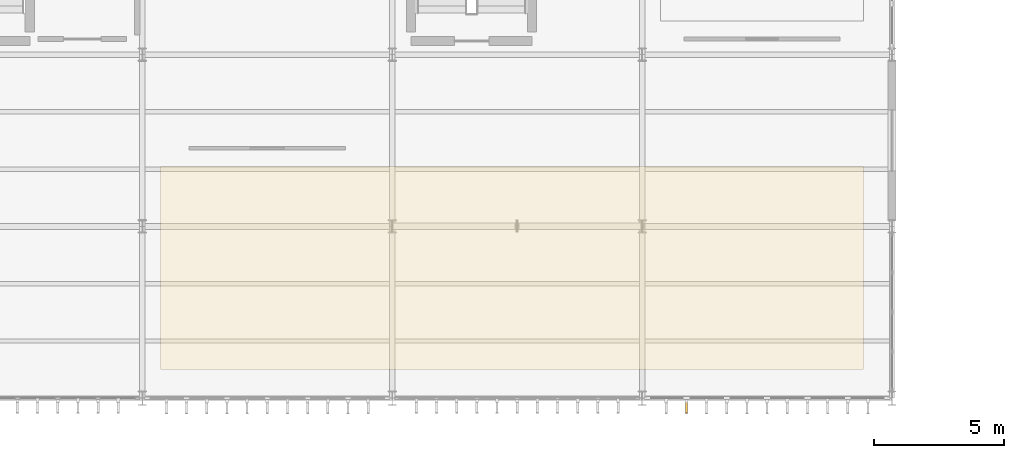
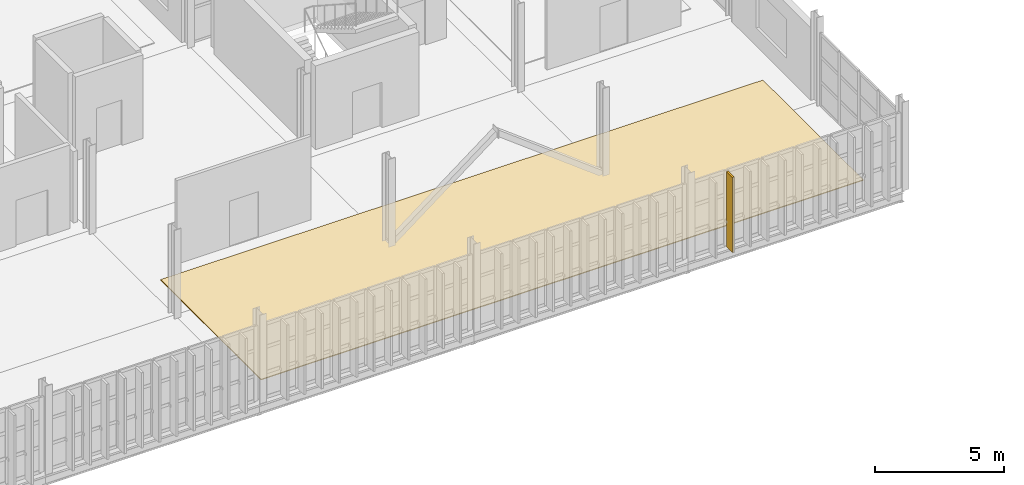
# One storey, part 46 of 52: 1 covering, 1 shading device.
"""IFC4 building model written with IfcOpenShell, lengths in metres."""

from ifc_helpers import new_model, si_unit, direction, frame, origin, origin_2d, place, context, subcontext, project, spatial, polyline, rectangle, outline, extrude, material, layer, layer_set, type_object, element, save


model = new_model("IFC4")

# Units and contexts
model_context = context("Model", 3, precision=1e-05, world=origin(), true_north=direction((0.0, 1.0)))
body_context = subcontext(model_context, "Body", "Model", "MODEL_VIEW")
ifc_project = project(units=[si_unit("LENGTHUNIT", "METRE"), si_unit("AREAUNIT", "SQUARE_METRE"), si_unit("VOLUMEUNIT", "CUBIC_METRE"), si_unit("PLANEANGLEUNIT", "RADIAN"), si_unit("MASSUNIT", "GRAM", prefix="KILO")], contexts=[model_context])

# Site, building, storey
site_placement = place(None, origin())
site = spatial("IfcSite", under=ifc_project, at=site_placement, CompositionType="ELEMENT")
building_placement = place(site_placement, origin())
building = spatial("IfcBuilding", under=site, at=building_placement, Name="Zarnetskaya Central Station", CompositionType="ELEMENT")
storey_placement = place(building_placement, frame((0.0, 0.0, 14.39990234375)))
storey = spatial("IfcBuildingStorey", under=building, at=storey_placement, Name="L03", CompositionType="ELEMENT", Elevation=14.39990234375)

# Covering
ifc_material_1 = material(Name="Granite stone flooring", Category="masonry")
ifc_layer = layer(ifc_material_1, 0.0400390625, Name="Granite stone flooring", Category="masonry")
ifc_layer_set = layer_set([ifc_layer], Name="Granite stone flooring")
covering_type = type_object("IfcCoveringType", Name="COV-GRAN-FLR", PredefinedType="FLOORING", material=ifc_layer_set)
covering_placement = place(storey_placement, origin())
element("IfcCovering", 1, at=covering_placement, inside=storey, type_object=covering_type, Name="Granite terrazzo floor finish L03-512", PredefinedType="FLOORING", context=body_context, shape_type="SweptSolid", body=[
    extrude(outline(polyline([(19.89990234375, 1.10009765625), (46.89990234375, 1.10009765625), (46.89990234375, 8.89990234375), (19.89990234375, 8.89990234375), (19.89990234375, 1.10009765625)])), origin(), (0.0, 0.0, 1.0), 0.0400390625),
])

# Shading device
ifc_material_2 = material(Name="Larch glulam GL28h", Category="wood")
shading_device_type = type_object("IfcShadingDeviceType", Name="SHD-LARCH-FIN-B", PredefinedType="USERDEFINED", material=ifc_material_2)
shading_device_placement = place(storey_placement, frame((40.10009765625, -0.340087890625, 0.0), z_axis=(0.0, 0.0, 1.0), x_axis=(-1.0, 0.0, 0.0)))
element("IfcShadingDevice", 2, at=shading_device_placement, inside=storey, type_object=shading_device_type, Name="Vertical larch timber fin CW-L03-042-10", ObjectType="TIMBER FIN", PredefinedType="USERDEFINED", context=body_context, shape_type="SweptSolid", body=[
    extrude(rectangle(XDim=0.0849609375, YDim=0.4599609375, at=origin_2d()), origin(), (0.0, 0.0, 1.0), 3.56005859375),
])

save(model, "model.ifc")
